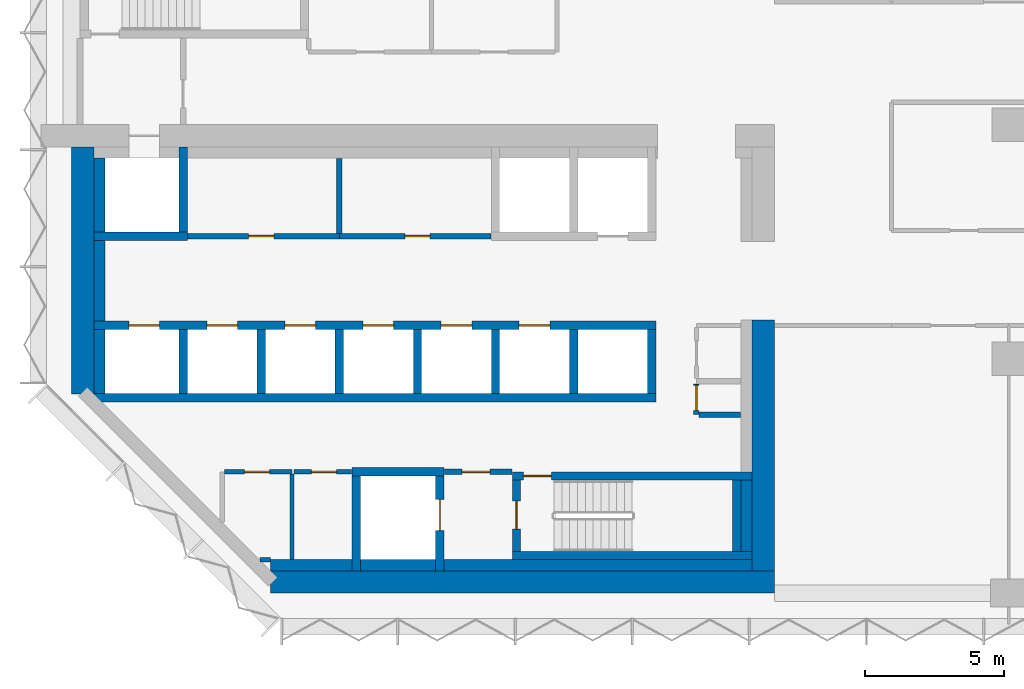
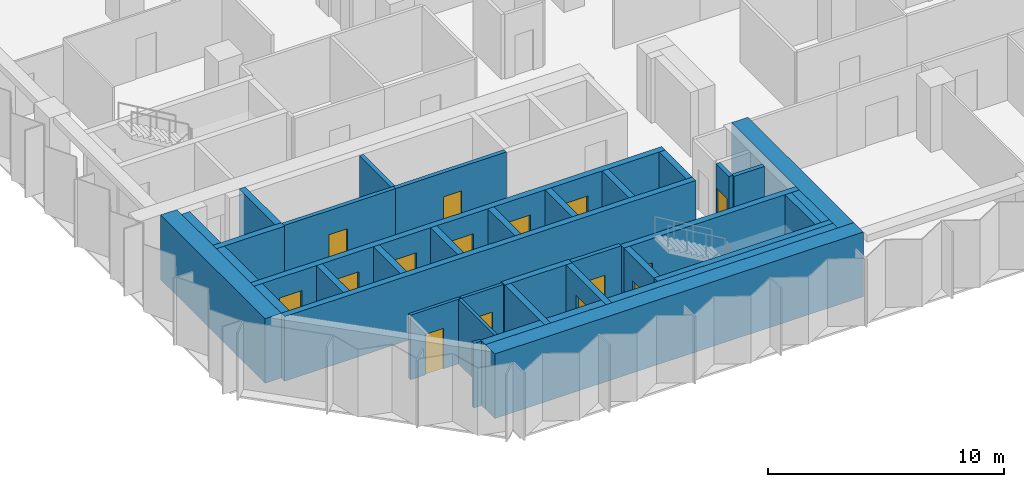
# One storey, part 7 of 13: 38 walls, 15 doors, 15 openings.
"""IFC4 building model written with IfcOpenShell, lengths in metres."""

from ifc_helpers import new_model, si_unit, direction, frame, frame_2d, origin, place, context, subcontext, project, spatial, rectangle, extrude, material, layer, layer_set, type_object, element, fill, save


model = new_model("IFC4")

# Units and contexts
model_context = context("Model", 3, precision=1e-05, world=origin(), true_north=direction((0.0, 1.0)))
body_context = subcontext(model_context, "Body", "Model", "MODEL_VIEW")
ifc_project = project(units=[si_unit("LENGTHUNIT", "METRE"), si_unit("AREAUNIT", "SQUARE_METRE"), si_unit("VOLUMEUNIT", "CUBIC_METRE"), si_unit("PLANEANGLEUNIT", "RADIAN"), si_unit("MASSUNIT", "GRAM", prefix="KILO")], contexts=[model_context])

# Site, building, storey
site_placement = place(None, origin())
site = spatial("IfcSite", under=ifc_project, at=site_placement, CompositionType="ELEMENT")
building_placement = place(site_placement, origin())
building = spatial("IfcBuilding", under=site, at=building_placement, Name="Brevane Broadcast Tower", CompositionType="ELEMENT")
storey_placement = place(building_placement, frame((0.0, 0.0, 95.300048828125)))
storey = spatial("IfcBuildingStorey", under=building, at=storey_placement, Name="L22", CompositionType="ELEMENT", Elevation=95.300048828125)

# Walls
ifc_material_1 = material(Name="Concrete C32/40", Category="concrete")
ifc_layer_1 = layer(ifc_material_1, 0.39990234375)
ifc_layer_set_1 = layer_set([ifc_layer_1], Name="Core chase wall 400 mm")
wall_type_1 = type_object("IfcWallType", Name="Core chase wall 400 mm", PredefinedType="PARTITIONING", material=ifc_layer_set_1)
wall_1_placement = place(storey_placement, frame((1.0, 7.14990234375, 0.0), z_axis=(0.0, 0.0, 1.0), x_axis=(0.0, 1.0, 0.0)))
element("IfcWall", 1, at=wall_1_placement, inside=storey, type_object=wall_type_1, Name="L22 chase wall LW-2-1", PredefinedType="PARTITIONING", context=body_context, shape_type="SweptSolid", body=[
    extrude(rectangle(XDim=2.300048828125, YDim=0.39990234375, at=frame_2d((1.14990234375, 0.0))), origin(), (0.0, 0.0, 1.0), 3.349853515625),
])
wall_2_placement = place(storey_placement, frame((1.0, 9.75, 0.0), z_axis=(0.0, 0.0, 1.0), x_axis=(0.0, 1.0, 0.0)))
element("IfcWall", 2, at=wall_2_placement, inside=storey, type_object=wall_type_1, Name="L22 chase wall LW-2-2-1", PredefinedType="PARTITIONING", context=body_context, shape_type="SweptSolid", body=[
    extrude(rectangle(XDim=2.89990234375, YDim=0.39990234375, at=frame_2d((1.449951171875, 0.0))), origin(), (0.0, 0.0, 1.0), 3.349853515625),
])
wall_3_placement = place(storey_placement, frame((1.0, 12.949951171875, 0.0), z_axis=(0.0, 0.0, 1.0), x_axis=(0.0, 1.0, 0.0)))
element("IfcWall", 3, at=wall_3_placement, inside=storey, type_object=wall_type_1, Name="L22 chase wall LW-2-2-2", PredefinedType="PARTITIONING", context=body_context, shape_type="SweptSolid", body=[
    extrude(rectangle(XDim=2.650146484375, YDim=0.39990234375, at=frame_2d((1.3251953125, 0.0))), origin(), (0.0, 0.0, 1.0), 3.349853515625),
])
wall_4_placement = place(storey_placement, frame((7.136474609375, 1.0, 0.0), z_axis=(0.0, 0.0, 1.0), x_axis=(1.0, 0.0, 0.0)))
element("IfcWall", 4, at=wall_4_placement, inside=storey, type_object=wall_type_1, Name="L22 chase wall LS-1", PredefinedType="PARTITIONING", context=body_context, shape_type="SweptSolid", body=[
    extrude(rectangle(XDim=2.91357421875, YDim=0.39990234375, at=frame_2d((1.456787109375, 0.0))), origin(), (0.0, 0.0, 1.0), 3.349853515625),
])
wall_5_placement = place(storey_placement, frame((10.35009765625, 1.0, 0.0), z_axis=(0.0, 0.0, 1.0), x_axis=(1.0, 0.0, 0.0)))
element("IfcWall", 5, at=wall_5_placement, inside=storey, type_object=wall_type_1, Name="L22 chase wall LS-2-1", PredefinedType="PARTITIONING", context=body_context, shape_type="SweptSolid", body=[
    extrude(rectangle(XDim=2.699951171875, YDim=0.39990234375, at=frame_2d((1.35009765625, 0.0))), origin(), (0.0, 0.0, 1.0), 3.349853515625),
])
wall_6_placement = place(storey_placement, frame((13.35009765625, 1.0, 0.0), z_axis=(0.0, 0.0, 1.0), x_axis=(1.0, 0.0, 0.0)))
element("IfcWall", 6, at=wall_6_placement, inside=storey, type_object=wall_type_1, Name="L22 chase wall LS-2-2", PredefinedType="PARTITIONING", context=body_context, shape_type="SweptSolid", body=[
    extrude(rectangle(XDim=11.0498046875, YDim=0.39990234375, at=frame_2d((5.52490234375, 0.0))), origin(), (0.0, 0.0, 1.0), 3.349853515625),
])
wall_7_placement = place(storey_placement, frame((24.199951171875, 1.5, 0.0), z_axis=(0.0, 0.0, 1.0), x_axis=(0.0, 1.0, 0.0)))
element("IfcWall", 7, at=wall_7_placement, inside=storey, type_object=wall_type_1, Name="L22 chase wall LE1-2-1", PredefinedType="PARTITIONING", context=body_context, shape_type="SweptSolid", body=[
    extrude(rectangle(XDim=2.550048828125, YDim=0.39990234375, at=frame_2d((1.27490234375, 0.0))), origin(), (0.0, 0.0, 1.0), 3.349853515625),
])

# Wall, opening, door
ifc_material_2 = material(Name="Gypsum board on steel studs", Category="steel")
ifc_layer_2 = layer(ifc_material_2, 0.14990234375)
ifc_layer_set_2 = layer_set([ifc_layer_2], Name="Core fire partition 150 mm")
wall_type_2 = type_object("IfcWallType", Name="Core fire partition 150 mm", PredefinedType="PARTITIONING", material=ifc_layer_set_2)
wall_8_placement = place(storey_placement, frame((5.47509765625, 4.35009765625, 0.0), z_axis=(0.0, 0.0, 1.0), x_axis=(1.0, 0.0, 0.0)))
wall_8 = element("IfcWall", 8, at=wall_8_placement, inside=storey, type_object=wall_type_2, Name="L22 partition wall P11", PredefinedType="PARTITIONING", context=body_context, shape_type="SweptSolid", body=[
    extrude(rectangle(XDim=2.4248046875, YDim=0.14990234375, at=frame_2d((1.21240234375, 0.0))), origin(), (0.0, 0.0, 1.0), 3.349853515625),
])
opening_1_placement = place(wall_8_placement, frame((0.72509765625, 0.0, 0.0)))
opening_1 = element("IfcOpeningElement", 9, at=opening_1_placement, cuts=wall_8, Name="Opening L22-K16", PredefinedType="OPENING", context=body_context, shape_type="SweptSolid", body=[
    extrude(rectangle(XDim=0.89990234375, YDim=2.10009765625, at=frame_2d((0.449951171875, 1.050048828125))), frame((0.0, 0.0849609375, 0.0), z_axis=(0.0, -1.0, 0.0), x_axis=(1.0, 0.0, 0.0)), (0.0, 0.0, 1.0), 0.169921875),
])
ifc_material_3 = material(Name="Timber", Category="wood")
door_type_1 = type_object("IfcDoorType", Name="Toilet door 900 x 2100", OperationType="SINGLE_SWING_LEFT", PredefinedType="DOOR", material=ifc_material_3)
door_1_placement = place(opening_1_placement, origin())
door_1 = element("IfcDoor", 10, at=door_1_placement, inside=storey, type_object=door_type_1, Name="Door L22-K16", OperationType="SINGLE_SWING_LEFT", OverallHeight=2.10009765625, OverallWidth=0.89990234375, PredefinedType="DOOR", context=body_context, shape_type="SweptSolid", body=[
    extrude(rectangle(XDim=0.89990234375, YDim=2.10009765625, at=frame_2d((0.449951171875, 1.050048828125))), frame((0.0, 0.02490234375, 0.0), z_axis=(0.0, -1.0, 0.0), x_axis=(1.0, 0.0, 0.0)), (0.0, 0.0, 1.0), 0.050048828125),
])
fill(opening_1, door_1)

# Walls
wall_9_placement = place(storey_placement, frame((7.89990234375, 4.27490234375, 0.0), z_axis=(0.0, 0.0, 1.0), x_axis=(0.0, -1.0, 0.0)))
element("IfcWall", 11, at=wall_9_placement, inside=storey, type_object=wall_type_2, Name="L22 partition wall P12", PredefinedType="PARTITIONING", context=body_context, shape_type="SweptSolid", body=[
    extrude(rectangle(XDim=3.06298828125, YDim=0.14990234375, at=frame_2d((1.531494140625, 0.0))), origin(), (0.0, 0.0, 1.0), 3.349853515625),
])
wall_10_placement = place(storey_placement, frame((7.12451171875, 1.199951171875, 0.0), z_axis=(0.0, 0.0, 1.0), x_axis=(-1.0, 0.0, 0.0)))
element("IfcWall", 12, at=wall_10_placement, inside=storey, type_object=wall_type_2, Name="L22 partition wall P13", PredefinedType="PARTITIONING", context=body_context, shape_type="SweptSolid", body=[
    extrude(rectangle(XDim=0.37109375, YDim=0.14990234375, at=frame_2d((0.185546875, 0.0))), origin(), (0.0, 0.0, 1.0), 3.349853515625),
])

# Wall, opening, door
wall_11_placement = place(storey_placement, frame((10.0380859375, 4.35009765625, 0.0), z_axis=(0.0, 0.0, 1.0), x_axis=(-1.0, 0.0, 0.0)))
wall_11 = element("IfcWall", 13, at=wall_11_placement, inside=storey, type_object=wall_type_2, Name="L22 partition wall P14", PredefinedType="PARTITIONING", context=body_context, shape_type="SweptSolid", body=[
    extrude(rectangle(XDim=2.06298828125, YDim=0.14990234375, at=frame_2d((1.031494140625, 0.0))), origin(), (0.0, 0.0, 1.0), 3.349853515625),
])
opening_2_placement = place(wall_11_placement, frame((0.5380859375, 0.0, 0.0)))
opening_2 = element("IfcOpeningElement", 14, at=opening_2_placement, cuts=wall_11, Name="Opening L22-K17", PredefinedType="OPENING", context=body_context, shape_type="SweptSolid", body=[
    extrude(rectangle(XDim=0.89990234375, YDim=2.10009765625, at=frame_2d((0.449951171875, 1.050048828125))), frame((0.0, 0.0849609375, 0.0), z_axis=(0.0, -1.0, 0.0), x_axis=(1.0, 0.0, 0.0)), (0.0, 0.0, 1.0), 0.169921875),
])
door_2_placement = place(opening_2_placement, origin())
door_2 = element("IfcDoor", 15, at=door_2_placement, inside=storey, type_object=door_type_1, Name="Door L22-K17", OperationType="SINGLE_SWING_RIGHT", OverallHeight=2.10009765625, OverallWidth=0.89990234375, PredefinedType="DOOR", context=body_context, shape_type="SweptSolid", body=[
    extrude(rectangle(XDim=0.89990234375, YDim=2.10009765625, at=frame_2d((0.449951171875, 1.050048828125))), frame((0.0, 0.02490234375, 0.0), z_axis=(0.0, -1.0, 0.0), x_axis=(1.0, 0.0, 0.0)), (0.0, 0.0, 1.0), 0.050048828125),
])
fill(opening_2, door_2)

ifc_layer_3 = layer(ifc_material_2, 0.199951171875)
ifc_layer_set_3 = layer_set([ifc_layer_3], Name="Core fire partition 200 mm")
wall_type_3 = type_object("IfcWallType", Name="Core fire partition 200 mm", PredefinedType="PARTITIONING", material=ifc_layer_set_3)
wall_12_placement = place(storey_placement, frame((13.362060546875, 4.35009765625, 0.0), z_axis=(0.0, 0.0, 1.0), x_axis=(1.0, 0.0, 0.0)))
wall_12 = element("IfcWall", 16, at=wall_12_placement, inside=storey, type_object=wall_type_3, Name="L22 partition wall P03", PredefinedType="PARTITIONING", context=body_context, shape_type="SweptSolid", body=[
    extrude(rectangle(XDim=2.426025390625, YDim=0.199951171875, at=frame_2d((1.212890625, 0.0))), origin(), (0.0, 0.0, 1.0), 3.349853515625),
])
opening_3_placement = place(wall_12_placement, frame((0.637939453125, 0.0, 0.0)))
opening_3 = element("IfcOpeningElement", 17, at=opening_3_placement, cuts=wall_12, Name="Opening L22-K18", PredefinedType="OPENING", context=body_context, shape_type="SweptSolid", body=[
    extrude(rectangle(XDim=1.0, YDim=2.10009765625, at=frame_2d((0.5, 1.050048828125))), frame((0.0, 0.10986328125, 0.0), z_axis=(0.0, -1.0, 0.0), x_axis=(1.0, 0.0, 0.0)), (0.0, 0.0, 1.0), 0.219970703125),
])
ifc_material_4 = material(Name="Steel", Category="steel")
door_type_2 = type_object("IfcDoorType", Name="Stair door 1000 x 2100", OperationType="SINGLE_SWING_LEFT", PredefinedType="DOOR", material=ifc_material_4)
door_3_placement = place(opening_3_placement, origin())
door_3 = element("IfcDoor", 18, at=door_3_placement, inside=storey, type_object=door_type_2, Name="Door L22-K18", OperationType="SINGLE_SWING_LEFT", OverallHeight=2.10009765625, OverallWidth=1.0, PredefinedType="DOOR", context=body_context, shape_type="SweptSolid", body=[
    extrude(rectangle(XDim=1.0, YDim=2.10009765625, at=frame_2d((0.5, 1.050048828125))), frame((0.0, 0.02490234375, 0.0), z_axis=(0.0, -1.0, 0.0), x_axis=(1.0, 0.0, 0.0)), (0.0, 0.0, 1.0), 0.050048828125),
])
fill(opening_3, door_3)

wall_13_placement = place(storey_placement, frame((4.162109375, 12.800048828125, 0.0), z_axis=(0.0, 0.0, 1.0), x_axis=(1.0, 0.0, 0.0)))
wall_13 = element("IfcWall", 19, at=wall_13_placement, inside=storey, type_object=wall_type_3, Name="L22 partition wall P04", PredefinedType="PARTITIONING", context=body_context, shape_type="SweptSolid", body=[
    extrude(rectangle(XDim=5.43798828125, YDim=0.199951171875, at=frame_2d((2.718994140625, 0.0))), origin(), (0.0, 0.0, 1.0), 3.349853515625),
])
opening_4_placement = place(wall_13_placement, frame((2.18798828125, 0.0, 0.0)))
opening_4 = element("IfcOpeningElement", 20, at=opening_4_placement, cuts=wall_13, Name="Opening L22-K21", PredefinedType="OPENING", context=body_context, shape_type="SweptSolid", body=[
    extrude(rectangle(XDim=0.89990234375, YDim=2.10009765625, at=frame_2d((0.449951171875, 1.050048828125))), frame((0.0, 0.10986328125, 0.0), z_axis=(0.0, -1.0, 0.0), x_axis=(1.0, 0.0, 0.0)), (0.0, 0.0, 1.0), 0.219970703125),
])
door_type_3 = type_object("IfcDoorType", Name="Service room door 900 x 2100", OperationType="SINGLE_SWING_LEFT", PredefinedType="DOOR", material=ifc_material_4)
door_4_placement = place(opening_4_placement, origin())
door_4 = element("IfcDoor", 21, at=door_4_placement, inside=storey, type_object=door_type_3, Name="Door L22-K21", OperationType="SINGLE_SWING_RIGHT", OverallHeight=2.10009765625, OverallWidth=0.89990234375, PredefinedType="DOOR", context=body_context, shape_type="SweptSolid", body=[
    extrude(rectangle(XDim=0.89990234375, YDim=2.10009765625, at=frame_2d((0.449951171875, 1.050048828125))), frame((0.0, 0.02490234375, 0.0), z_axis=(0.0, -1.0, 0.0), x_axis=(1.0, 0.0, 0.0)), (0.0, 0.0, 1.0), 0.050048828125),
])
fill(opening_4, door_4)

wall_14_placement = place(storey_placement, frame((9.60009765625, 12.800048828125, 0.0), z_axis=(0.0, 0.0, 1.0), x_axis=(1.0, 0.0, 0.0)))
wall_14 = element("IfcWall", 22, at=wall_14_placement, inside=storey, type_object=wall_type_3, Name="L22 partition wall P05", PredefinedType="PARTITIONING", context=body_context, shape_type="SweptSolid", body=[
    extrude(rectangle(XDim=5.43798828125, YDim=0.199951171875, at=frame_2d((2.718994140625, 0.0))), origin(), (0.0, 0.0, 1.0), 3.349853515625),
])
opening_5_placement = place(wall_14_placement, frame((2.35009765625, 0.0, 0.0)))
opening_5 = element("IfcOpeningElement", 23, at=opening_5_placement, cuts=wall_14, Name="Opening L22-K22", PredefinedType="OPENING", context=body_context, shape_type="SweptSolid", body=[
    extrude(rectangle(XDim=0.89990234375, YDim=2.10009765625, at=frame_2d((0.449951171875, 1.050048828125))), frame((0.0, 0.10986328125, 0.0), z_axis=(0.0, -1.0, 0.0), x_axis=(1.0, 0.0, 0.0)), (0.0, 0.0, 1.0), 0.219970703125),
])
door_5_placement = place(opening_5_placement, origin())
door_5 = element("IfcDoor", 24, at=door_5_placement, inside=storey, type_object=door_type_3, Name="Door L22-K22", OperationType="SINGLE_SWING_LEFT", OverallHeight=2.10009765625, OverallWidth=0.89990234375, PredefinedType="DOOR", context=body_context, shape_type="SweptSolid", body=[
    extrude(rectangle(XDim=0.89990234375, YDim=2.10009765625, at=frame_2d((0.449951171875, 1.050048828125))), frame((0.0, 0.02490234375, 0.0), z_axis=(0.0, -1.0, 0.0), x_axis=(1.0, 0.0, 0.0)), (0.0, 0.0, 1.0), 0.050048828125),
])
fill(opening_5, door_5)

# Wall
wall_15_placement = place(storey_placement, frame((9.60009765625, 15.587890625, 0.0), z_axis=(0.0, 0.0, 1.0), x_axis=(0.0, -1.0, 0.0)))
element("IfcWall", 25, at=wall_15_placement, inside=storey, type_object=wall_type_3, Name="L22 partition wall P06", PredefinedType="PARTITIONING", context=body_context, shape_type="SweptSolid", body=[
    extrude(rectangle(XDim=2.68798828125, YDim=0.199951171875, at=frame_2d((1.343994140625, 0.0))), origin(), (0.0, 0.0, 1.0), 3.349853515625),
])

# Wall, opening, door
wall_16_placement = place(storey_placement, frame((22.39990234375, 7.5, 0.0), z_axis=(0.0, 0.0, 1.0), x_axis=(0.0, -1.0, 0.0)))
wall_16 = element("IfcWall", 26, at=wall_16_placement, inside=storey, type_object=wall_type_3, Name="L22 partition wall P08", PredefinedType="PARTITIONING", context=body_context, shape_type="SweptSolid", body=[
    extrude(rectangle(XDim=1.10009765625, YDim=0.199951171875, at=frame_2d((0.550048828125, 0.0))), origin(), (0.0, 0.0, 1.0), 3.349853515625),
])
opening_6_placement = place(wall_16_placement, frame((0.050048828125, 0.0, 0.0)))
opening_6 = element("IfcOpeningElement", 27, at=opening_6_placement, cuts=wall_16, Name="Opening L22-K19", PredefinedType="OPENING", context=body_context, shape_type="SweptSolid", body=[
    extrude(rectangle(XDim=0.89990234375, YDim=2.10009765625, at=frame_2d((0.449951171875, 1.050048828125))), frame((0.0, 0.10986328125, 0.0), z_axis=(0.0, -1.0, 0.0), x_axis=(1.0, 0.0, 0.0)), (0.0, 0.0, 1.0), 0.219970703125),
])
door_6_placement = place(opening_6_placement, origin())
door_6 = element("IfcDoor", 28, at=door_6_placement, inside=storey, type_object=door_type_3, Name="Door L22-K19", OperationType="SINGLE_SWING_RIGHT", OverallHeight=2.10009765625, OverallWidth=0.89990234375, PredefinedType="DOOR", context=body_context, shape_type="SweptSolid", body=[
    extrude(rectangle(XDim=0.89990234375, YDim=2.10009765625, at=frame_2d((0.449951171875, 1.050048828125))), frame((0.0, 0.02490234375, 0.0), z_axis=(0.0, -1.0, 0.0), x_axis=(1.0, 0.0, 0.0)), (0.0, 0.0, 1.0), 0.050048828125),
])
fill(opening_6, door_6)

# Walls
wall_17_placement = place(storey_placement, frame((22.5, 6.39990234375, 0.0), z_axis=(0.0, 0.0, 1.0), x_axis=(1.0, 0.0, 0.0)))
element("IfcWall", 29, at=wall_17_placement, inside=storey, type_object=wall_type_3, Name="L22 partition wall P09", PredefinedType="PARTITIONING", context=body_context, shape_type="SweptSolid", body=[
    extrude(rectangle(XDim=1.488037109375, YDim=0.199951171875, at=frame_2d((0.744140625, 0.0))), origin(), (0.0, 0.0, 1.0), 3.349853515625),
])
ifc_material_5 = material(Name="Concrete C60/75", Category="concrete")
ifc_layer_4 = layer(ifc_material_5, 0.300048828125)
ifc_layer_set_4 = layer_set([ifc_layer_4], Name="Core wall 300 mm C60/75")
wall_type_4 = type_object("IfcWallType", Name="Core wall 300 mm C60/75", PredefinedType="SHEAR", material=ifc_layer_set_4)
wall_18_placement = place(storey_placement, frame((0.800048828125, 7.0, 0.0), z_axis=(0.0, 0.0, 1.0), x_axis=(1.0, 0.0, 0.0)))
element("IfcWall", 30, at=wall_18_placement, inside=storey, type_object=wall_type_4, Name="L22 shaft wall SH-S012-back", PredefinedType="SHEAR", context=body_context, shape_type="SweptSolid", body=[
    extrude(rectangle(XDim=20.14990234375, YDim=0.300048828125, at=frame_2d((10.074951171875, 0.0))), origin(), (0.0, 0.0, 1.0), 3.349853515625),
])

# Wall, openings, doors
wall_19_placement = place(storey_placement, frame((0.800048828125, 9.60009765625, 0.0), z_axis=(0.0, 0.0, 1.0), x_axis=(1.0, 0.0, 0.0)))
wall_19 = element("IfcWall", 31, at=wall_19_placement, inside=storey, type_object=wall_type_4, Name="L22 shaft wall SH-S012-front", PredefinedType="SHEAR", context=body_context, shape_type="SweptSolid", body=[
    extrude(rectangle(XDim=20.14990234375, YDim=0.300048828125, at=frame_2d((10.074951171875, 0.0))), origin(), (0.0, 0.0, 1.0), 3.349853515625),
])
opening_7_placement = place(wall_19_placement, frame((1.25, 0.0, 0.0)))
opening_7 = element("IfcOpeningElement", 32, at=opening_7_placement, cuts=wall_19, Name="Opening LD", PredefinedType="OPENING", context=body_context, shape_type="SweptSolid", body=[
    extrude(rectangle(XDim=1.10009765625, YDim=2.300048828125, at=frame_2d((0.550048828125, 1.14990234375))), frame((0.0, 0.159912109375, 0.0), z_axis=(0.0, -1.0, 0.0), x_axis=(1.0, 0.0, 0.0)), (0.0, 0.0, 1.0), 0.320068359375),
])
opening_8_placement = place(wall_19_placement, frame((4.050048828125, 0.0, 0.0)))
opening_8 = element("IfcOpeningElement", 33, at=opening_8_placement, cuts=wall_19, Name="Opening LD", PredefinedType="OPENING", context=body_context, shape_type="SweptSolid", body=[
    extrude(rectangle(XDim=1.10009765625, YDim=2.300048828125, at=frame_2d((0.550048828125, 1.14990234375))), frame((0.0, 0.159912109375, 0.0), z_axis=(0.0, -1.0, 0.0), x_axis=(1.0, 0.0, 0.0)), (0.0, 0.0, 1.0), 0.320068359375),
])
opening_9_placement = place(wall_19_placement, frame((6.85009765625, 0.0, 0.0)))
opening_9 = element("IfcOpeningElement", 34, at=opening_9_placement, cuts=wall_19, Name="Opening LD", PredefinedType="OPENING", context=body_context, shape_type="SweptSolid", body=[
    extrude(rectangle(XDim=1.10009765625, YDim=2.300048828125, at=frame_2d((0.550048828125, 1.14990234375))), frame((0.0, 0.159912109375, 0.0), z_axis=(0.0, -1.0, 0.0), x_axis=(1.0, 0.0, 0.0)), (0.0, 0.0, 1.0), 0.320068359375),
])
opening_10_placement = place(wall_19_placement, frame((9.64990234375, 0.0, 0.0)))
opening_10 = element("IfcOpeningElement", 35, at=opening_10_placement, cuts=wall_19, Name="Opening LD", PredefinedType="OPENING", context=body_context, shape_type="SweptSolid", body=[
    extrude(rectangle(XDim=1.10009765625, YDim=2.300048828125, at=frame_2d((0.550048828125, 1.14990234375))), frame((0.0, 0.159912109375, 0.0), z_axis=(0.0, -1.0, 0.0), x_axis=(1.0, 0.0, 0.0)), (0.0, 0.0, 1.0), 0.320068359375),
])
opening_11_placement = place(wall_19_placement, frame((12.449951171875, 0.0, 0.0)))
opening_11 = element("IfcOpeningElement", 36, at=opening_11_placement, cuts=wall_19, Name="Opening LD", PredefinedType="OPENING", context=body_context, shape_type="SweptSolid", body=[
    extrude(rectangle(XDim=1.10009765625, YDim=2.300048828125, at=frame_2d((0.550048828125, 1.14990234375))), frame((0.0, 0.159912109375, 0.0), z_axis=(0.0, -1.0, 0.0), x_axis=(1.0, 0.0, 0.0)), (0.0, 0.0, 1.0), 0.320068359375),
])
opening_12_placement = place(wall_19_placement, frame((15.25, 0.0, 0.0)))
opening_12 = element("IfcOpeningElement", 37, at=opening_12_placement, cuts=wall_19, Name="Opening LD", PredefinedType="OPENING", context=body_context, shape_type="SweptSolid", body=[
    extrude(rectangle(XDim=1.10009765625, YDim=2.300048828125, at=frame_2d((0.550048828125, 1.14990234375))), frame((0.0, 0.159912109375, 0.0), z_axis=(0.0, -1.0, 0.0), x_axis=(1.0, 0.0, 0.0)), (0.0, 0.0, 1.0), 0.320068359375),
])
ifc_material_6 = material(Name="Stainless steel", Category="steel")
door_type_4 = type_object("IfcDoorType", Name="Lift landing door", OperationType="SLIDING_TO_LEFT", PredefinedType="DOOR", material=ifc_material_6)
door_7_placement = place(opening_7_placement, origin())
door_7 = element("IfcDoor", 38, at=door_7_placement, inside=storey, type_object=door_type_4, Name="Landing door LR1 L22", OperationType="SLIDING_TO_LEFT", OverallHeight=2.300048828125, OverallWidth=1.10009765625, PredefinedType="DOOR", context=body_context, shape_type="SweptSolid", body=[
    extrude(rectangle(XDim=1.10009765625, YDim=2.300048828125, at=frame_2d((0.550048828125, 1.14990234375))), frame((0.0, 0.02490234375, 0.0), z_axis=(0.0, -1.0, 0.0), x_axis=(1.0, 0.0, 0.0)), (0.0, 0.0, 1.0), 0.050048828125),
])
fill(opening_7, door_7)
door_8_placement = place(opening_8_placement, origin())
door_8 = element("IfcDoor", 39, at=door_8_placement, inside=storey, type_object=door_type_4, Name="Landing door LR2 L22", OperationType="SLIDING_TO_LEFT", OverallHeight=2.300048828125, OverallWidth=1.10009765625, PredefinedType="DOOR", context=body_context, shape_type="SweptSolid", body=[
    extrude(rectangle(XDim=1.10009765625, YDim=2.300048828125, at=frame_2d((0.550048828125, 1.14990234375))), frame((0.0, 0.02490234375, 0.0), z_axis=(0.0, -1.0, 0.0), x_axis=(1.0, 0.0, 0.0)), (0.0, 0.0, 1.0), 0.050048828125),
])
fill(opening_8, door_8)
door_9_placement = place(opening_9_placement, origin())
door_9 = element("IfcDoor", 40, at=door_9_placement, inside=storey, type_object=door_type_4, Name="Landing door LR3 L22", OperationType="SLIDING_TO_LEFT", OverallHeight=2.300048828125, OverallWidth=1.10009765625, PredefinedType="DOOR", context=body_context, shape_type="SweptSolid", body=[
    extrude(rectangle(XDim=1.10009765625, YDim=2.300048828125, at=frame_2d((0.550048828125, 1.14990234375))), frame((0.0, 0.02490234375, 0.0), z_axis=(0.0, -1.0, 0.0), x_axis=(1.0, 0.0, 0.0)), (0.0, 0.0, 1.0), 0.050048828125),
])
fill(opening_9, door_9)
door_10_placement = place(opening_10_placement, origin())
door_10 = element("IfcDoor", 41, at=door_10_placement, inside=storey, type_object=door_type_4, Name="Landing door LR4 L22", OperationType="SLIDING_TO_LEFT", OverallHeight=2.300048828125, OverallWidth=1.10009765625, PredefinedType="DOOR", context=body_context, shape_type="SweptSolid", body=[
    extrude(rectangle(XDim=1.10009765625, YDim=2.300048828125, at=frame_2d((0.550048828125, 1.14990234375))), frame((0.0, 0.02490234375, 0.0), z_axis=(0.0, -1.0, 0.0), x_axis=(1.0, 0.0, 0.0)), (0.0, 0.0, 1.0), 0.050048828125),
])
fill(opening_10, door_10)
door_11_placement = place(opening_11_placement, origin())
door_11 = element("IfcDoor", 42, at=door_11_placement, inside=storey, type_object=door_type_4, Name="Landing door LR5 L22", OperationType="SLIDING_TO_LEFT", OverallHeight=2.300048828125, OverallWidth=1.10009765625, PredefinedType="DOOR", context=body_context, shape_type="SweptSolid", body=[
    extrude(rectangle(XDim=1.10009765625, YDim=2.300048828125, at=frame_2d((0.550048828125, 1.14990234375))), frame((0.0, 0.02490234375, 0.0), z_axis=(0.0, -1.0, 0.0), x_axis=(1.0, 0.0, 0.0)), (0.0, 0.0, 1.0), 0.050048828125),
])
fill(opening_11, door_11)
door_12_placement = place(opening_12_placement, origin())
door_12 = element("IfcDoor", 43, at=door_12_placement, inside=storey, type_object=door_type_4, Name="Landing door LR6 L22", OperationType="SLIDING_TO_LEFT", OverallHeight=2.300048828125, OverallWidth=1.10009765625, PredefinedType="DOOR", context=body_context, shape_type="SweptSolid", body=[
    extrude(rectangle(XDim=1.10009765625, YDim=2.300048828125, at=frame_2d((0.550048828125, 1.14990234375))), frame((0.0, 0.02490234375, 0.0), z_axis=(0.0, -1.0, 0.0), x_axis=(1.0, 0.0, 0.0)), (0.0, 0.0, 1.0), 0.050048828125),
])
fill(opening_12, door_12)

# Walls
for number, where, z_axis, x_axis, name in (
    (44, (4.0, 7.14990234375, 0.0), (0.0, 0.0, 1.0), (0.0, 1.0, 0.0), "L22 shaft wall SH-S-P040"),
    (45, (6.800048828125, 7.14990234375, 0.0), (0.0, 0.0, 1.0), (0.0, 1.0, 0.0), "L22 shaft wall SH-S-P068"),
    (46, (9.60009765625, 7.14990234375, 0.0), (0.0, 0.0, 1.0), (0.0, 1.0, 0.0), "L22 shaft wall SH-S-P096"),
    (47, (12.39990234375, 7.14990234375, 0.0), (0.0, 0.0, 1.0), (0.0, 1.0, 0.0), "L22 shaft wall SH-S-P124"),
    (48, (15.199951171875, 7.14990234375, 0.0), (0.0, 0.0, 1.0), (0.0, 1.0, 0.0), "L22 shaft wall SH-S-P152"),
    (49, (18.0, 7.14990234375, 0.0), (0.0, 0.0, 1.0), (0.0, 1.0, 0.0), "L22 shaft wall SH-S-P180"),
    (50, (20.800048828125, 7.14990234375, 0.0), (0.0, 0.0, 1.0), (0.0, 1.0, 0.0), "L22 shaft wall SH-S-P208"),
):
    element("IfcWall", number, at=place(storey_placement, frame(where, z_axis=z_axis, x_axis=x_axis)), inside=storey, type_object=wall_type_4, Name=name, PredefinedType="SHEAR", context=body_context, shape_type="SweptSolid", body=[
        extrude(rectangle(XDim=2.300048828125, YDim=0.300048828125, at=frame_2d((1.14990234375, 0.0))), origin(), (0.0, 0.0, 1.0), 3.349853515625),
    ])
wall_20_placement = place(storey_placement, frame((0.800048828125, 12.800048828125, 0.0), z_axis=(0.0, 0.0, 1.0), x_axis=(1.0, 0.0, 0.0)))
element("IfcWall", 51, at=wall_20_placement, inside=storey, type_object=wall_type_4, Name="L22 shaft wall SH-N012-front", PredefinedType="SHEAR", context=body_context, shape_type="SweptSolid", body=[
    extrude(rectangle(XDim=3.349853515625, YDim=0.300048828125, at=frame_2d((1.6748046875, 0.0))), origin(), (0.0, 0.0, 1.0), 3.349853515625),
])
wall_21_placement = place(storey_placement, frame((4.0, 12.949951171875, 0.0), z_axis=(0.0, 0.0, 1.0), x_axis=(0.0, 1.0, 0.0)))
element("IfcWall", 52, at=wall_21_placement, inside=storey, type_object=wall_type_4, Name="L22 shaft wall SH-N-P040", PredefinedType="SHEAR", context=body_context, shape_type="SweptSolid", body=[
    extrude(rectangle(XDim=3.050048828125, YDim=0.300048828125, at=frame_2d((1.52490234375, 0.0))), origin(), (0.0, 0.0, 1.0), 3.349853515625),
])
wall_22_placement = place(storey_placement, frame((10.199951171875, 0.800048828125, 0.0), z_axis=(0.0, 0.0, 1.0), x_axis=(0.0, 1.0, 0.0)))
element("IfcWall", 53, at=wall_22_placement, inside=storey, type_object=wall_type_4, Name="L22 shaft wall FF2-W", PredefinedType="SHEAR", context=body_context, shape_type="SweptSolid", body=[
    extrude(rectangle(XDim=3.39990234375, YDim=0.300048828125, at=frame_2d((1.699951171875, 0.0))), origin(), (0.0, 0.0, 1.0), 3.349853515625),
])

# Wall, opening, door
wall_23_placement = place(storey_placement, frame((13.199951171875, 0.800048828125, 0.0), z_axis=(0.0, 0.0, 1.0), x_axis=(0.0, 1.0, 0.0)))
wall_23 = element("IfcWall", 54, at=wall_23_placement, inside=storey, type_object=wall_type_4, Name="L22 shaft wall FF2-E", PredefinedType="SHEAR", context=body_context, shape_type="SweptSolid", body=[
    extrude(rectangle(XDim=3.39990234375, YDim=0.300048828125, at=frame_2d((1.699951171875, 0.0))), origin(), (0.0, 0.0, 1.0), 3.349853515625),
])
opening_13_placement = place(wall_23_placement, frame((1.449951171875, 0.0, 0.0)))
opening_13 = element("IfcOpeningElement", 55, at=opening_13_placement, cuts=wall_23, Name="Opening LD", PredefinedType="OPENING", context=body_context, shape_type="SweptSolid", body=[
    extrude(rectangle(XDim=1.10009765625, YDim=2.300048828125, at=frame_2d((0.550048828125, 1.14990234375))), frame((0.0, 0.159912109375, 0.0), z_axis=(0.0, -1.0, 0.0), x_axis=(1.0, 0.0, 0.0)), (0.0, 0.0, 1.0), 0.320068359375),
])
door_13_placement = place(opening_13_placement, origin())
door_13 = element("IfcDoor", 56, at=door_13_placement, inside=storey, type_object=door_type_4, Name="Landing door FF2 L22", OperationType="SLIDING_TO_LEFT", OverallHeight=2.300048828125, OverallWidth=1.10009765625, PredefinedType="DOOR", context=body_context, shape_type="SweptSolid", body=[
    extrude(rectangle(XDim=1.10009765625, YDim=2.300048828125, at=frame_2d((0.550048828125, 1.14990234375))), frame((0.0, 0.02490234375, 0.0), z_axis=(0.0, -1.0, 0.0), x_axis=(1.0, 0.0, 0.0)), (0.0, 0.0, 1.0), 0.050048828125),
])
fill(opening_13, door_13)

# Walls
wall_24_placement = place(storey_placement, frame((10.050048828125, 4.35009765625, 0.0), z_axis=(0.0, 0.0, 1.0), x_axis=(1.0, 0.0, 0.0)))
element("IfcWall", 57, at=wall_24_placement, inside=storey, type_object=wall_type_4, Name="L22 shaft wall FF2-N", PredefinedType="SHEAR", context=body_context, shape_type="SweptSolid", body=[
    extrude(rectangle(XDim=3.300048828125, YDim=0.300048828125, at=frame_2d((1.64990234375, 0.0))), origin(), (0.0, 0.0, 1.0), 3.349853515625),
])
wall_25_placement = place(storey_placement, frame((15.800048828125, 1.35009765625, 0.0), z_axis=(0.0, 0.0, 1.0), x_axis=(1.0, 0.0, 0.0)))
element("IfcWall", 58, at=wall_25_placement, inside=storey, type_object=wall_type_4, Name="L22 stair wall ST-2-S", PredefinedType="SHEAR", context=body_context, shape_type="SweptSolid", body=[
    extrude(rectangle(XDim=8.599853515625, YDim=0.300048828125, at=frame_2d((4.2998046875, 0.0))), origin(), (0.0, 0.0, 1.0), 3.349853515625),
])

# Wall, opening, door
wall_26_placement = place(storey_placement, frame((15.800048828125, 4.199951171875, 0.0), z_axis=(0.0, 0.0, 1.0), x_axis=(1.0, 0.0, 0.0)))
wall_26 = element("IfcWall", 59, at=wall_26_placement, inside=storey, type_object=wall_type_4, Name="L22 stair wall ST-2-N", PredefinedType="SHEAR", context=body_context, shape_type="SweptSolid", body=[
    extrude(rectangle(XDim=8.599853515625, YDim=0.300048828125, at=frame_2d((4.2998046875, 0.0))), origin(), (0.0, 0.0, 1.0), 3.349853515625),
])
opening_14_placement = place(wall_26_placement, frame((0.39990234375, 0.0, 0.0)))
opening_14 = element("IfcOpeningElement", 60, at=opening_14_placement, cuts=wall_26, Name="Opening L22-K13", PredefinedType="OPENING", context=body_context, shape_type="SweptSolid", body=[
    extrude(rectangle(XDim=1.0, YDim=2.10009765625, at=frame_2d((0.5, 1.050048828125))), frame((0.0, 0.159912109375, 0.0), z_axis=(0.0, -1.0, 0.0), x_axis=(1.0, 0.0, 0.0)), (0.0, 0.0, 1.0), 0.320068359375),
])
door_14_placement = place(opening_14_placement, origin())
door_14 = element("IfcDoor", 61, at=door_14_placement, inside=storey, type_object=door_type_2, Name="Door L22-K13", OperationType="SINGLE_SWING_RIGHT", OverallHeight=2.10009765625, OverallWidth=1.0, PredefinedType="DOOR", context=body_context, shape_type="SweptSolid", body=[
    extrude(rectangle(XDim=1.0, YDim=2.10009765625, at=frame_2d((0.5, 1.050048828125))), frame((0.0, 0.02490234375, 0.0), z_axis=(0.0, -1.0, 0.0), x_axis=(1.0, 0.0, 0.0)), (0.0, 0.0, 1.0), 0.050048828125),
])
fill(opening_14, door_14)

wall_27_placement = place(storey_placement, frame((15.949951171875, 1.5, 0.0), z_axis=(0.0, 0.0, 1.0), x_axis=(0.0, 1.0, 0.0)))
wall_27 = element("IfcWall", 62, at=wall_27_placement, inside=storey, type_object=wall_type_4, Name="L22 stair wall ST-2-W", PredefinedType="SHEAR", context=body_context, shape_type="SweptSolid", body=[
    extrude(rectangle(XDim=2.550048828125, YDim=0.300048828125, at=frame_2d((1.27490234375, 0.0))), origin(), (0.0, 0.0, 1.0), 3.349853515625),
])
opening_15_placement = place(wall_27_placement, frame((0.800048828125, 0.0, 0.0)))
opening_15 = element("IfcOpeningElement", 63, at=opening_15_placement, cuts=wall_27, Name="Opening L22-K12", PredefinedType="OPENING", context=body_context, shape_type="SweptSolid", body=[
    extrude(rectangle(XDim=1.0, YDim=2.10009765625, at=frame_2d((0.5, 1.050048828125))), frame((0.0, 0.159912109375, 0.0), z_axis=(0.0, -1.0, 0.0), x_axis=(1.0, 0.0, 0.0)), (0.0, 0.0, 1.0), 0.320068359375),
])
door_15_placement = place(opening_15_placement, origin())
door_15 = element("IfcDoor", 64, at=door_15_placement, inside=storey, type_object=door_type_2, Name="Door L22-K12", OperationType="SINGLE_SWING_LEFT", OverallHeight=2.10009765625, OverallWidth=1.0, PredefinedType="DOOR", context=body_context, shape_type="SweptSolid", body=[
    extrude(rectangle(XDim=1.0, YDim=2.10009765625, at=frame_2d((0.5, 1.050048828125))), frame((0.0, 0.02490234375, 0.0), z_axis=(0.0, -1.0, 0.0), x_axis=(1.0, 0.0, 0.0)), (0.0, 0.0, 1.0), 0.050048828125),
])
fill(opening_15, door_15)

# Walls
wall_28_placement = place(storey_placement, frame((23.85009765625, 1.5, 0.0), z_axis=(0.0, 0.0, 1.0), x_axis=(0.0, 1.0, 0.0)))
element("IfcWall", 65, at=wall_28_placement, inside=storey, type_object=wall_type_4, Name="L22 stair wall ST-2-E", PredefinedType="SHEAR", context=body_context, shape_type="SweptSolid", body=[
    extrude(rectangle(XDim=2.550048828125, YDim=0.300048828125, at=frame_2d((1.27490234375, 0.0))), origin(), (0.0, 0.0, 1.0), 3.349853515625),
])
ifc_layer_5 = layer(ifc_material_5, 0.800048828125)
ifc_layer_set_5 = layer_set([ifc_layer_5], Name="Core wall 800 mm C60/75")
wall_type_5 = type_object("IfcWallType", Name="Core wall 800 mm C60/75", PredefinedType="SHEAR", material=ifc_layer_set_5)
wall_29_placement = place(storey_placement, frame((7.136474609375, 0.39990234375, 0.0), z_axis=(0.0, 0.0, 1.0), x_axis=(1.0, 0.0, 0.0)))
element("IfcWall", 66, at=wall_29_placement, inside=storey, type_object=wall_type_5, Name="L22 outer wall WS", PredefinedType="SHEAR", context=body_context, shape_type="SweptSolid", body=[
    extrude(rectangle(XDim=18.0634765625, YDim=0.800048828125, at=frame_2d((9.03173828125, 0.0))), origin(), (0.0, 0.0, 1.0), 3.349853515625),
])
wall_30_placement = place(storey_placement, frame((0.39990234375, 7.136474609375, 0.0), z_axis=(0.0, 0.0, 1.0), x_axis=(0.0, 1.0, 0.0)))
element("IfcWall", 67, at=wall_30_placement, inside=storey, type_object=wall_type_5, Name="L22 outer wall WW", PredefinedType="SHEAR", context=body_context, shape_type="SweptSolid", body=[
    extrude(rectangle(XDim=8.863525390625, YDim=0.800048828125, at=frame_2d((4.431640625, 0.0))), origin(), (0.0, 0.0, 1.0), 3.349853515625),
])
wall_31_placement = place(storey_placement, frame((24.800048828125, 0.800048828125, 0.0), z_axis=(0.0, 0.0, 1.0), x_axis=(0.0, 1.0, 0.0)))
element("IfcWall", 68, at=wall_31_placement, inside=storey, type_object=wall_type_5, Name="L22 outer wall WE1", PredefinedType="SHEAR", context=body_context, shape_type="SweptSolid", body=[
    extrude(rectangle(XDim=9.0, YDim=0.800048828125, at=frame_2d((4.5, 0.0))), origin(), (0.0, 0.0, 1.0), 3.349853515625),
])

save(model, "model.ifc")
